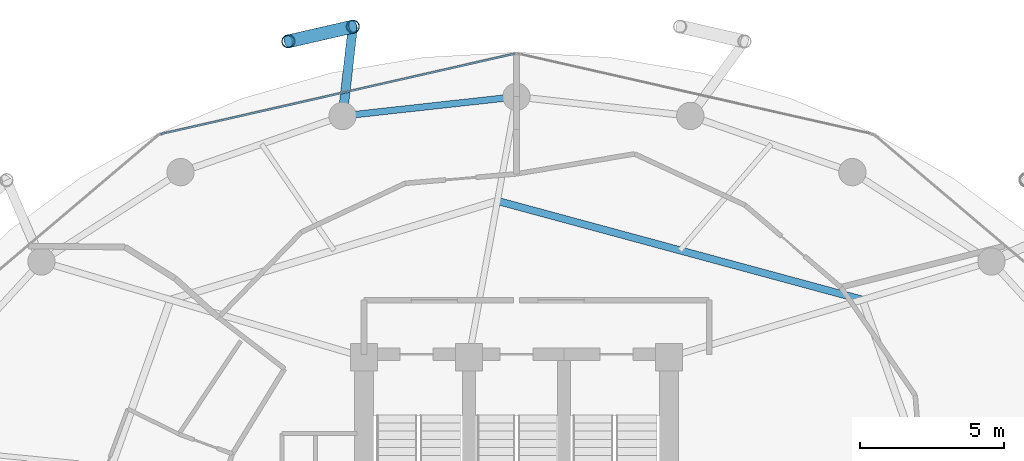
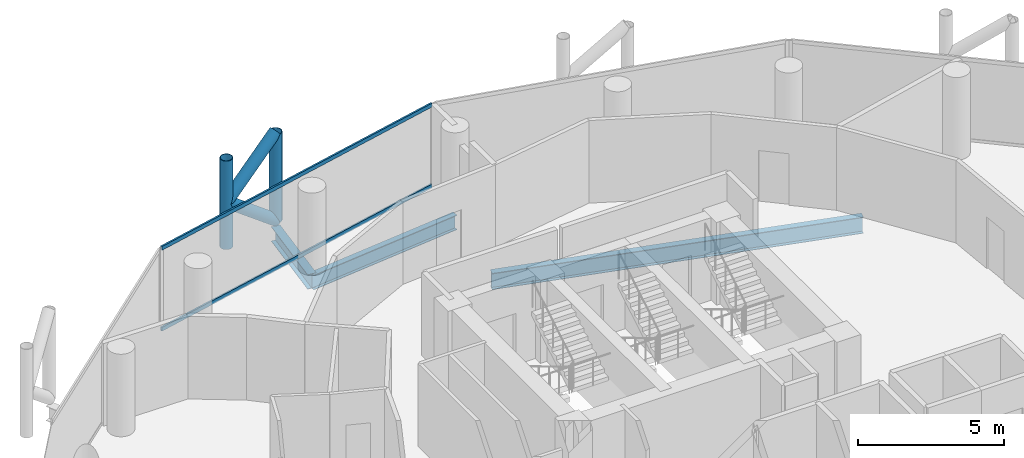
# One storey, part 16 of 26: 6 members, 3 beams, 1 element without a shape of its own.
"""IFC4 building model written with IfcOpenShell, lengths in metres."""

from ifc_helpers import new_model, si_unit, direction, frame, origin, origin_2d, place, context, subcontext, project, spatial, hollow_rectangle, hollow_circle, i_section, extrude, material, layer, layer_set, material_profile, profile_set, type_object, element, aggregate, save


model = new_model("IFC4")

# Units and contexts
model_context = context("Model", 3, precision=1e-05, world=origin(), true_north=direction((0.0, 1.0)))
body_context = subcontext(model_context, "Body", "Model", "MODEL_VIEW")
ifc_project = project(units=[si_unit("LENGTHUNIT", "METRE"), si_unit("AREAUNIT", "SQUARE_METRE"), si_unit("VOLUMEUNIT", "CUBIC_METRE"), si_unit("PLANEANGLEUNIT", "RADIAN"), si_unit("MASSUNIT", "GRAM", prefix="KILO")], contexts=[model_context])

# Site, building, storey
site_placement = place(None, origin())
site = spatial("IfcSite", under=ifc_project, at=site_placement, CompositionType="ELEMENT")
building_placement = place(site_placement, origin())
building = spatial("IfcBuilding", under=site, at=building_placement, Name="Nuhasar Tower", CompositionType="ELEMENT")
storey_placement = place(building_placement, frame((0.0, 0.0, 177.449951171875)))
storey = spatial("IfcBuildingStorey", under=building, at=storey_placement, Name="L43", CompositionType="ELEMENT", Elevation=177.449951171875)

# Beams
ifc_material_1 = material(Name="Steel S355", Category="steel")
ifc_material_profile_1 = material_profile(ifc_material_1, i_section(OverallWidth=0.25390625, OverallDepth=0.68408203125, WebThickness=0.012451171875, FlangeThickness=0.018798828125, at=origin_2d()), Name="W27X94")
ifc_profile_set_1 = profile_set([ifc_material_profile_1], Name="Steel S355")
beam_type_1 = type_object("IfcBeamType", Name="BM-INRING-W27X94", PredefinedType="BEAM", material=ifc_profile_set_1)
beam_1_placement = place(storey_placement, frame((51.027099609375, 39.2939453125, -0.592041015625), z_axis=(-0.96522695776, 0.261413312618, 0.0), x_axis=(-0.261413312618, -0.96522695776, 0.0)))
element("IfcBeam", 1, at=beam_1_placement, inside=storey, type_object=beam_type_1, Name="L43 Inner Header Beam 05", PredefinedType="BEAM", context=body_context, shape_type="SweptSolid", body=[
    extrude(i_section(OverallWidth=0.25390625, OverallDepth=0.68408203125, WebThickness=0.012451171875, FlangeThickness=0.018798828125, at=origin_2d()), origin(), (0.0, 0.0, 1.0), 13.14404296875),
])
ifc_material_profile_2 = material_profile(ifc_material_1, i_section(OverallWidth=0.22998046875, OverallDepth=0.616943359375, WebThickness=0.01318359375, FlangeThickness=0.022216796875, at=origin_2d()), Name="W24X94")
ifc_profile_set_2 = profile_set([ifc_material_profile_2], Name="Steel S355")
beam_type_2 = type_object("IfcBeamType", Name="BM-RING-W24X94", PredefinedType="SPANDREL", material=ifc_profile_set_2)
beam_2_placement = place(storey_placement, frame((39.0, 46.35009765625, -0.558837890625), z_axis=(-0.993981289157, -0.109549974015, 0.0), x_axis=(0.109549974015, -0.993981289157, 0.0)))
element("IfcBeam", 2, at=beam_2_placement, inside=storey, type_object=beam_type_2, Name="L43 Perimeter Ring Spandrel 07", PredefinedType="SPANDREL", context=body_context, shape_type="SweptSolid", body=[
    extrude(i_section(OverallWidth=0.22998046875, OverallDepth=0.616943359375, WebThickness=0.01318359375, FlangeThickness=0.022216796875, at=origin_2d()), origin(), (0.0, 0.0, 1.0), 6.07958984375),
])
ifc_material_profile_3 = material_profile(ifc_material_1, i_section(OverallWidth=0.323974609375, OverallDepth=0.611083984375, WebThickness=0.0126953125, FlangeThickness=0.01904296875, at=origin_2d()), Name="W24X104")
ifc_profile_set_3 = profile_set([ifc_material_profile_3], Name="Steel S355")
beam_type_3 = type_object("IfcBeamType", Name="BM-TIE-W24X104", PredefinedType="BEAM", material=ifc_profile_set_3)
beam_3_placement = place(storey_placement, frame((32.95703125, 45.68408203125, -0.555908203125), z_axis=(0.114167639647, 0.993461499031, 0.0), x_axis=(-0.993461499031, 0.114167639647, 0.0)))
element("IfcBeam", 3, at=beam_3_placement, inside=storey, type_object=beam_type_3, Name="L43 Exoskeleton Node Tie Beam 04", PredefinedType="BEAM", context=body_context, shape_type="SweptSolid", body=[
    extrude(i_section(OverallWidth=0.323974609375, OverallDepth=0.611083984375, WebThickness=0.0126953125, FlangeThickness=0.01904296875, at=origin_2d()), origin(), (0.0, 0.0, 1.0), 3.12646484375),
])

# Curtain wall, members
ifc_material_2 = material(Name="Aluminium 6063-T6", Category="aluminium")
ifc_layer = layer(ifc_material_2, 0.199951171875)
ifc_layer_set = layer_set([ifc_layer], Name="Aluminium 6063-T6")
curtain_wall_type = type_object("IfcCurtainWallType", Name="CW-Z2-HTL", PredefinedType="NOTDEFINED", material=ifc_layer_set)
curtain_wall_placement = place(storey_placement, origin())
curtain_wall = element("IfcCurtainWall", 4, at=curtain_wall_placement, inside=storey, type_object=curtain_wall_type, Name="L43 Unitised Curtain Wall 04", PredefinedType="NOTDEFINED")
ifc_material_profile_4 = material_profile(ifc_material_2, hollow_rectangle(XDim=0.070068359375, YDim=0.159912109375, WallThickness=0.00439453125, at=origin_2d()), Name="CWT-3")
ifc_profile_set_4 = profile_set([ifc_material_profile_4], Name="Aluminium 6063-T6")
member_type_1 = type_object("IfcMemberType", Name="CW-TRN-S3", PredefinedType="USERDEFINED", material=ifc_profile_set_4)
member_1_placement = place(storey_placement, frame((38.931640625, 47.844482421875, 0.03515625), z_axis=(-0.975183434528, -0.221398439519, 0.0), x_axis=(0.221398439519, -0.975183434528, 0.0)))
member_1 = element("IfcMember", 5, at=member_1_placement, type_object=member_type_1, Name="CW-Z2 transom 1.1", ObjectType="TRANSOM", PredefinedType="USERDEFINED", context=body_context, shape_type="SweptSolid", body=[
    extrude(hollow_rectangle(XDim=0.070068359375, YDim=0.159912109375, WallThickness=0.00439453125, at=origin_2d()), origin(), (0.0, 0.0, 1.0), 12.606201171875),
])
member_2_placement = place(storey_placement, frame((38.931640625, 47.844482421875, 3.4150390625), z_axis=(-0.975183434528, -0.221398439519, 0.0), x_axis=(0.221398439519, -0.975183434528, 0.0)))
member_2 = element("IfcMember", 6, at=member_2_placement, type_object=member_type_1, Name="CW-Z2 transom 1.2", ObjectType="TRANSOM", PredefinedType="USERDEFINED", context=body_context, shape_type="SweptSolid", body=[
    extrude(hollow_rectangle(XDim=0.070068359375, YDim=0.159912109375, WallThickness=0.00439453125, at=origin_2d()), origin(), (0.0, 0.0, 1.0), 12.606201171875),
])
aggregate(curtain_wall, [member_1, member_2])

# Members
ifc_material_3 = material(Name="Steel S460", Category="steel")
ifc_material_profile_5 = material_profile(ifc_material_3, hollow_circle(Radius=0.228515625, WallThickness=0.022216796875, at=origin_2d()), Name="HSS457X22.2")
ifc_profile_set_5 = profile_set([ifc_material_profile_5], Name="Steel S460")
member_type_2 = type_object("IfcMemberType", Name="EXO-BRONZE-457", PredefinedType="BRACE", material=ifc_profile_set_5)
for number, where, z_axis, x_axis, name in (
    (7, (33.31396484375, 48.7900390625, 0.0), (0.0, 0.0, 1.0), (1.0, 0.0, 0.0), "L43 Exoskeleton Chord Column EC-04A"),
    (8, (31.072021484375, 48.27587890625, 0.0), (0.0, 0.0, 1.0), (1.0, 0.0, 0.0), "L43 Exoskeleton Chord Column EC-04B"),
):
    element("IfcMember", number, at=place(storey_placement, frame(where, z_axis=z_axis, x_axis=x_axis)), inside=storey, type_object=member_type_2, Name=name, PredefinedType="BRACE", context=body_context, shape_type="SweptSolid", body=[
        extrude(hollow_circle(Radius=0.228515625, WallThickness=0.022216796875, at=origin_2d()), origin(), (0.0, 0.0, 1.0), 3.699951171875),
    ])
member_3_placement = place(storey_placement, frame((33.31396484375, 48.7900390625, 0.0), z_axis=(-0.759499549084, -0.174181209885, 0.626754609927), x_axis=(0.223533724104, -0.974696195842, 0.0)))
element("IfcMember", 9, at=member_3_placement, inside=storey, type_object=member_type_2, Name="L43 Bronze Diagrid Brace W1-04", PredefinedType="BRACE", context=body_context, shape_type="SweptSolid", body=[
    extrude(hollow_circle(Radius=0.228515625, WallThickness=0.022216796875, at=origin_2d()), origin(), (0.0, 0.0, 1.0), 2.951904296875),
])
member_4_placement = place(storey_placement, frame((31.072021484375, 48.27587890625, 1.85009765625), z_axis=(0.759538919781, 0.174190239035, 0.626704388019), x_axis=(-0.223533724104, 0.974696195842, 0.0)))
element("IfcMember", 10, at=member_4_placement, inside=storey, type_object=member_type_2, Name="L43 Bronze Diagrid Brace W2-04", PredefinedType="BRACE", context=body_context, shape_type="SweptSolid", body=[
    extrude(hollow_circle(Radius=0.228515625, WallThickness=0.022216796875, at=origin_2d()), origin(), (0.0, 0.0, 1.0), 2.95166015625),
])

save(model, "model.ifc")
